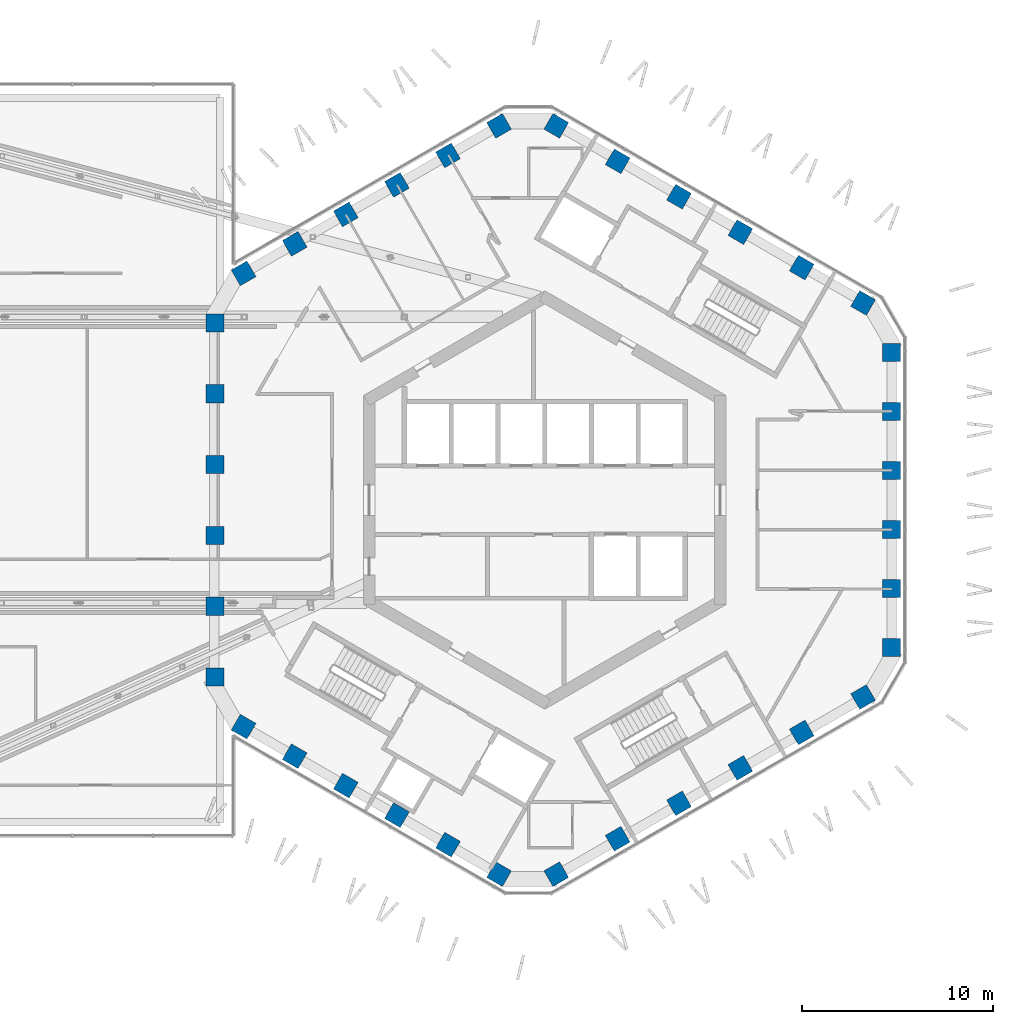
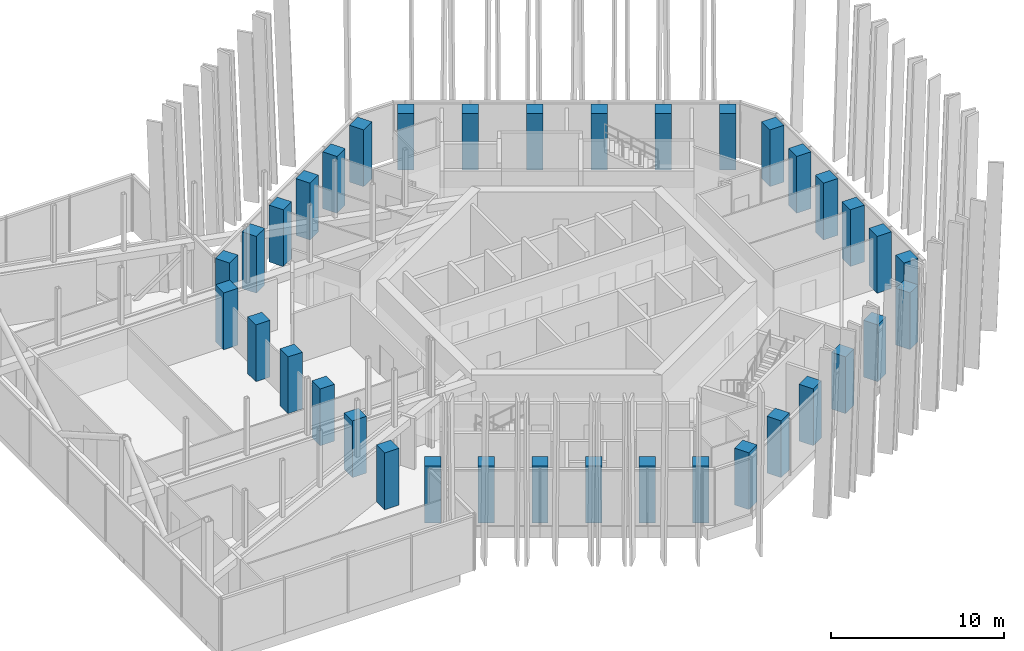
# One storey, part 1 of 28: 36 columns.
"""IFC4 building model written with IfcOpenShell, lengths in metres."""

from ifc_helpers import new_model, si_unit, direction, frame, origin, origin_2d, place, context, subcontext, project, spatial, rectangle, extrude, material, material_profile, profile_set, type_object, element, save


model = new_model("IFC4")

# Units and contexts
model_context = context("Model", 3, precision=1e-05, world=origin(), true_north=direction((0.0, 1.0)))
body_context = subcontext(model_context, "Body", "Model", "MODEL_VIEW")
ifc_project = project(units=[si_unit("LENGTHUNIT", "METRE"), si_unit("AREAUNIT", "SQUARE_METRE"), si_unit("VOLUMEUNIT", "CUBIC_METRE"), si_unit("PLANEANGLEUNIT", "RADIAN"), si_unit("MASSUNIT", "GRAM", prefix="KILO")], contexts=[model_context])

# Site, building, storey
site_placement = place(None, origin())
site = spatial("IfcSite", under=ifc_project, at=site_placement, CompositionType="ELEMENT")
building_placement = place(site_placement, origin())
building = spatial("IfcBuilding", under=site, at=building_placement, Name="Ayvan Gate Tower", CompositionType="ELEMENT")
storey_placement = place(building_placement, frame((0.0, 0.0, 202.10009765625)))
storey = spatial("IfcBuildingStorey", under=building, at=storey_placement, Name="L54", CompositionType="ELEMENT", Elevation=202.10009765625)

# Columns
ifc_material = material(Name="Concrete C55/67", Category="concrete")
ifc_material_profile = material_profile(ifc_material, rectangle(XDim=0.949951171875, YDim=0.949951171875, at=origin_2d()), Name="RC 950x950")
ifc_profile_set = profile_set([ifc_material_profile], Name="Concrete C55/67")
column_type = type_object("IfcColumnType", Name="Tube column RC 950x950 C55/67", PredefinedType="COLUMN", material=ifc_profile_set)
for number, where, z_axis, x_axis, name in (
    (1, (18.1865234375, -7.73193359375, 0.0), (0.0, 0.0, 1.0), (1.0, 0.0, 0.0), "C-T0-0-L54"),
    (2, (18.1865234375, -4.63916015625, 0.0), (0.0, 0.0, 1.0), (1.0, 0.0, 0.0), "C-T0-1-L54"),
    (3, (18.1865234375, -1.54638671875, 0.0), (0.0, 0.0, 1.0), (1.0, 0.0, 0.0), "C-T0-2-L54"),
    (4, (18.1865234375, 1.54638671875, 0.0), (0.0, 0.0, 1.0), (1.0, 0.0, 0.0), "C-T0-3-L54"),
    (5, (18.1865234375, 4.63916015625, 0.0), (0.0, 0.0, 1.0), (1.0, 0.0, 0.0), "C-T0-4-L54"),
    (6, (18.1865234375, 7.73193359375, 0.0), (0.0, 0.0, 1.0), (1.0, 0.0, 0.0), "C-T0-5-L54"),
    (7, (16.6865234375, 10.330078125, 0.0), (0.0, 0.0, 1.0), (0.5, 0.866025403784, 0.0), "C-T1-0-L54"),
    (8, (13.4697265625, 12.187255859375, 0.0), (0.0, 0.0, 1.0), (0.5, 0.866025403784, 0.0), "C-T1-1-L54"),
    (9, (10.2529296875, 14.04443359375, 0.0), (0.0, 0.0, 1.0), (0.5, 0.866025403784, 0.0), "C-T1-2-L54"),
    (10, (7.036376953125, 15.901611328125, 0.0), (0.0, 0.0, 1.0), (0.5, 0.866025403784, 0.0), "C-T1-3-L54"),
    (11, (3.819580078125, 17.7587890625, 0.0), (0.0, 0.0, 1.0), (0.5, 0.866025403784, 0.0), "C-T1-4-L54"),
    (12, (0.602783203125, 19.615966796875, 0.0), (0.0, 0.0, 1.0), (0.5, 0.866025403784, 0.0), "C-T1-5-L54"),
    (13, (-2.397216796875, 19.615966796875, 0.0), (0.0, 0.0, 1.0), (-0.5, 0.866025403784, 0.0), "C-T2-0-L54"),
    (14, (-5.07568359375, 18.069580078125, 0.0), (0.0, 0.0, 1.0), (-0.5, 0.866025403784, 0.0), "C-T2-1-L54"),
    (15, (-7.754150390625, 16.523193359375, 0.0), (0.0, 0.0, 1.0), (-0.5, 0.866025403784, 0.0), "C-T2-2-L54"),
    (16, (-10.432373046875, 14.976806640625, 0.0), (0.0, 0.0, 1.0), (-0.5, 0.866025403784, 0.0), "C-T2-3-L54"),
    (17, (-13.11083984375, 13.430419921875, 0.0), (0.0, 0.0, 1.0), (-0.5, 0.866025403784, 0.0), "C-T2-4-L54"),
    (18, (-15.789306640625, 11.884033203125, 0.0), (0.0, 0.0, 1.0), (-0.5, 0.866025403784, 0.0), "C-T2-5-L54"),
    (19, (-17.289306640625, 9.285888671875, 0.0), (0.0, 0.0, 1.0), (-1.0, 0.0, 0.0), "C-T3-0-L54"),
    (20, (-17.289306640625, 5.571533203125, 0.0), (0.0, 0.0, 1.0), (-1.0, 0.0, 0.0), "C-T3-1-L54"),
    (21, (-17.289306640625, 1.857177734375, 0.0), (0.0, 0.0, 1.0), (-1.0, 0.0, 0.0), "C-T3-2-L54"),
    (22, (-17.289306640625, -1.857177734375, 0.0), (0.0, 0.0, 1.0), (-1.0, 0.0, 0.0), "C-T3-3-L54"),
    (23, (-17.289306640625, -5.571533203125, 0.0), (0.0, 0.0, 1.0), (-1.0, 0.0, 0.0), "C-T3-4-L54"),
    (24, (-17.289306640625, -9.285888671875, 0.0), (0.0, 0.0, 1.0), (-1.0, 0.0, 0.0), "C-T3-5-L54"),
    (25, (-15.789306640625, -11.884033203125, 0.0), (0.0, 0.0, 1.0), (-0.5, -0.866025403784, 0.0), "C-T4-0-L54"),
    (26, (-13.11083984375, -13.430419921875, 0.0), (0.0, 0.0, 1.0), (-0.5, -0.866025403784, 0.0), "C-T4-1-L54"),
    (27, (-10.432373046875, -14.976806640625, 0.0), (0.0, 0.0, 1.0), (-0.5, -0.866025403784, 0.0), "C-T4-2-L54"),
    (28, (-7.754150390625, -16.523193359375, 0.0), (0.0, 0.0, 1.0), (-0.5, -0.866025403784, 0.0), "C-T4-3-L54"),
    (29, (-5.07568359375, -18.069580078125, 0.0), (0.0, 0.0, 1.0), (-0.5, -0.866025403784, 0.0), "C-T4-4-L54"),
    (30, (-2.397216796875, -19.615966796875, 0.0), (0.0, 0.0, 1.0), (-0.5, -0.866025403784, 0.0), "C-T4-5-L54"),
    (31, (0.602783203125, -19.615966796875, 0.0), (0.0, 0.0, 1.0), (0.5, -0.866025403784, 0.0), "C-T5-0-L54"),
    (32, (3.819580078125, -17.7587890625, 0.0), (0.0, 0.0, 1.0), (0.5, -0.866025403784, 0.0), "C-T5-1-L54"),
    (33, (7.036376953125, -15.901611328125, 0.0), (0.0, 0.0, 1.0), (0.5, -0.866025403784, 0.0), "C-T5-2-L54"),
    (34, (10.2529296875, -14.04443359375, 0.0), (0.0, 0.0, 1.0), (0.5, -0.866025403784, 0.0), "C-T5-3-L54"),
    (35, (13.4697265625, -12.187255859375, 0.0), (0.0, 0.0, 1.0), (0.5, -0.866025403784, 0.0), "C-T5-4-L54"),
    (36, (16.6865234375, -10.330078125, 0.0), (0.0, 0.0, 1.0), (0.5, -0.866025403784, 0.0), "C-T5-5-L54"),
):
    element("IfcColumn", number, at=place(storey_placement, frame(where, z_axis=z_axis, x_axis=x_axis)), inside=storey, type_object=column_type, Name=name, PredefinedType="COLUMN", context=body_context, shape_type="SweptSolid", body=[
        extrude(rectangle(XDim=0.949951171875, YDim=0.949951171875, at=origin_2d()), origin(), (0.0, 0.0, 1.0), 4.0),
    ])

save(model, "model.ifc")
